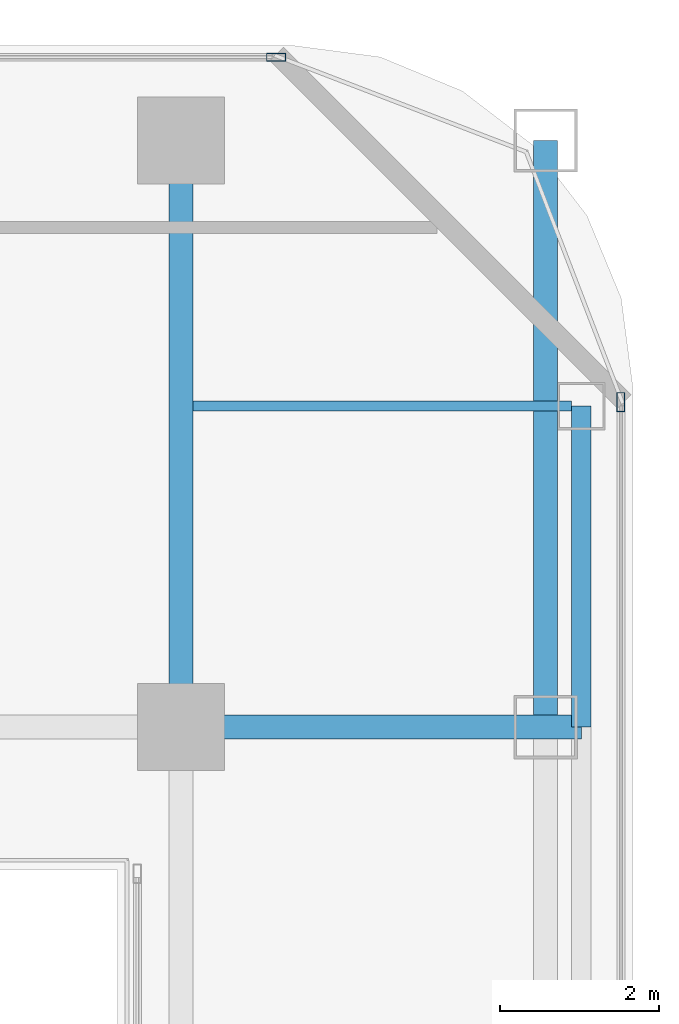
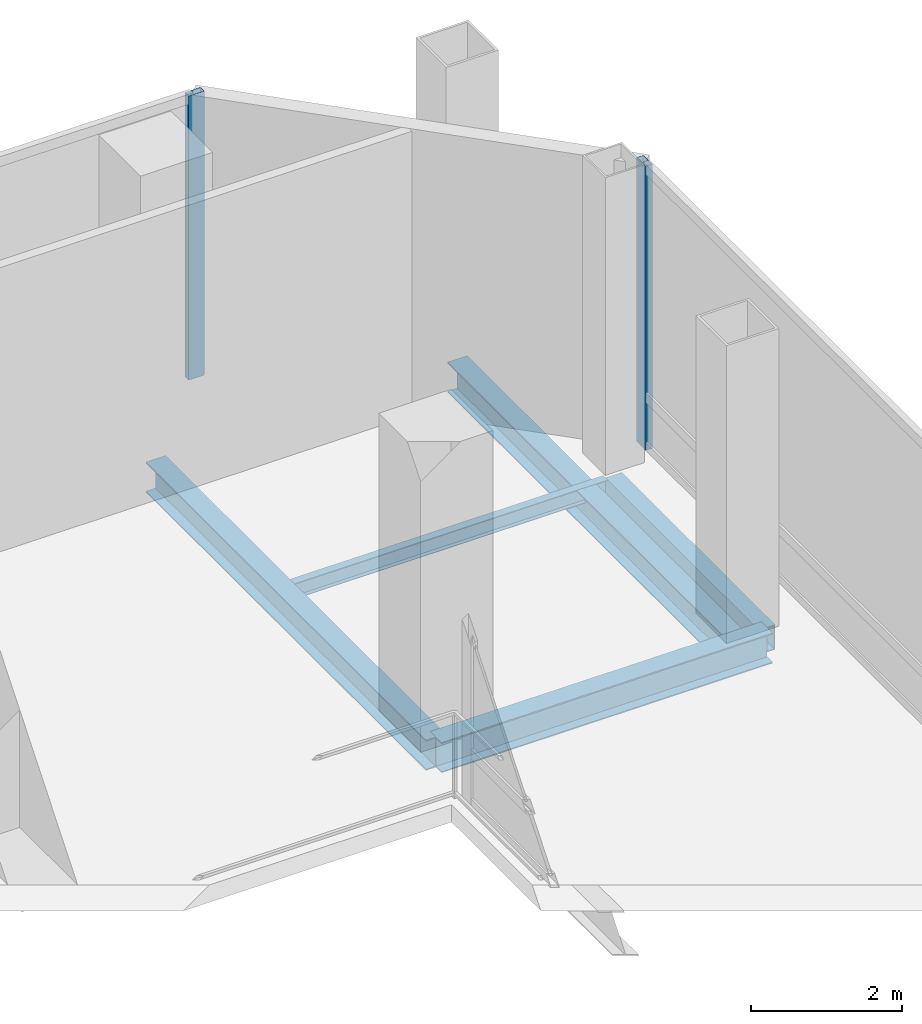
# One storey, part 14 of 22: 5 beams, 2 members, 2 elements without a shape of their own.
"""IFC4 building model written with IfcOpenShell, lengths in metres."""

from ifc_helpers import new_model, si_unit, direction, frame, origin, origin_2d, place, context, subcontext, project, spatial, hollow_rectangle, i_section, extrude, material, layer, layer_set, material_profile, profile_set, type_object, element, aggregate, save


model = new_model("IFC4")

# Units and contexts
model_context = context("Model", 3, precision=1e-05, world=origin(), true_north=direction((0.0, 1.0)))
body_context = subcontext(model_context, "Body", "Model", "MODEL_VIEW")
ifc_project = project(units=[si_unit("LENGTHUNIT", "METRE"), si_unit("AREAUNIT", "SQUARE_METRE"), si_unit("VOLUMEUNIT", "CUBIC_METRE"), si_unit("PLANEANGLEUNIT", "RADIAN"), si_unit("MASSUNIT", "GRAM", prefix="KILO")], contexts=[model_context])

# Site, building, storey
site_placement = place(None, origin())
site = spatial("IfcSite", under=ifc_project, at=site_placement, CompositionType="ELEMENT")
building_placement = place(site_placement, origin())
building = spatial("IfcBuilding", under=site, at=building_placement, Name="Khorvyn Point Tower", CompositionType="ELEMENT")
storey_placement = place(building_placement, frame((0.0, 0.0, 210.89990234375)))
storey = spatial("IfcBuildingStorey", under=building, at=storey_placement, Name="L52", CompositionType="ELEMENT", Elevation=210.89990234375)

# Curtain wall, member
ifc_material_1 = material(Name="Anodised aluminium 6063-T6 and laminated Low-E glass", Category="aluminium")
ifc_layer = layer(ifc_material_1, 0.18994140625)
ifc_layer_set = layer_set([ifc_layer], Name="Stick-Built Sky-Lobby Curtain Wall CW-SYS-05")
curtain_wall_type = type_object("IfcCurtainWallType", Name="Stick-Built Sky-Lobby Curtain Wall CW-SYS-05", PredefinedType="NOTDEFINED", material=ifc_layer_set)
curtain_wall_1_placement = place(storey_placement, origin())
curtain_wall_1 = element("IfcCurtainWall", 1, at=curtain_wall_1_placement, inside=storey, type_object=curtain_wall_type, Name="Curtain Wall", PredefinedType="NOTDEFINED")
ifc_material_2 = material(Name="Anodised aluminium 6063-T6", Category="aluminium")
ifc_material_profile_1 = material_profile(ifc_material_2, hollow_rectangle(XDim=0.10009765625, YDim=0.239990234375, WallThickness=0.0048828125, at=origin_2d()))
ifc_profile_set_1 = profile_set([ifc_material_profile_1], Name="Anodised aluminium 6063-T6 ALU-MUL-100x240")
member_type = type_object("IfcMemberType", Name="Anodised Aluminium 6063-T6 Mullion ALU-MUL-100x240", PredefinedType="MULLION", material=ifc_profile_set_1)
member_1_placement = place(storey_placement, frame((16.0, 15.85009765625, 0.0), z_axis=(0.0, 0.0, 1.0), x_axis=(0.0, 1.0, 0.0)))
member_1 = element("IfcMember", 2, at=member_1_placement, type_object=member_type, Name="Transom", PredefinedType="MULLION", context=body_context, shape_type="SweptSolid", body=[
    extrude(hollow_rectangle(XDim=0.10009765625, YDim=0.239990234375, WallThickness=0.0048828125, at=origin_2d()), origin(), (0.0, 0.0, 1.0), 4.580078125),
])
aggregate(curtain_wall_1, [member_1])

curtain_wall_2_placement = place(storey_placement, origin())
curtain_wall_2 = element("IfcCurtainWall", 3, at=curtain_wall_2_placement, inside=storey, type_object=curtain_wall_type, Name="Curtain Wall", PredefinedType="NOTDEFINED")
member_2_placement = place(storey_placement, frame((20.35009765625, 11.5, 0.0), z_axis=(0.0, 0.0, 1.0), x_axis=(1.0, 0.0, 0.0)))
member_2 = element("IfcMember", 4, at=member_2_placement, type_object=member_type, Name="Transom", PredefinedType="MULLION", context=body_context, shape_type="SweptSolid", body=[
    extrude(hollow_rectangle(XDim=0.10009765625, YDim=0.239990234375, WallThickness=0.0048828125, at=origin_2d()), origin(), (0.0, 0.0, 1.0), 4.580078125),
])
aggregate(curtain_wall_2, [member_2])

# Beams
ifc_material_3 = material(Name="Steel S355", Category="steel")
ifc_material_profile_2 = material_profile(ifc_material_3, i_section(OverallWidth=0.125, OverallDepth=0.25, WebThickness=0.006103515625, FlangeThickness=0.009033203125, at=origin_2d()))
ifc_profile_set_2 = profile_set([ifc_material_profile_2], Name="Steel S355 H250x125x6x9")
beam_type_1 = type_object("IfcBeamType", Name="Steel S355 Joist H250x125x6x9", PredefinedType="JOIST", material=ifc_profile_set_2)
beam_1_placement = place(storey_placement, frame((14.949951171875, 11.449951171875, -0.40478515625), z_axis=(1.0, 0.0, 0.0), x_axis=(0.0, 1.0, 0.0)))
element("IfcBeam", 5, at=beam_1_placement, inside=storey, type_object=beam_type_1, Name="Beam", PredefinedType="JOIST", context=body_context, shape_type="SweptSolid", body=[
    extrude(i_section(OverallWidth=0.125, OverallDepth=0.25, WebThickness=0.006103515625, FlangeThickness=0.009033203125, at=origin_2d()), origin(), (0.0, 0.0, 1.0), 4.775146484375),
])
ifc_material_profile_3 = material_profile(ifc_material_3, i_section(OverallWidth=0.300048828125, OverallDepth=0.488037109375, WebThickness=0.010986328125, FlangeThickness=0.01806640625, at=origin_2d()))
ifc_profile_set_3 = profile_set([ifc_material_profile_3], Name="Steel S355 H488x300x11x18")
beam_type_2 = type_object("IfcBeamType", Name="Steel S355 Spandrel H488x300x11x18", PredefinedType="SPANDREL", material=ifc_profile_set_3)
beam_2_placement = place(storey_placement, frame((14.800048828125, 7.39990234375, -0.52392578125), z_axis=(1.0, 0.0, 0.0), x_axis=(0.0, 1.0, 0.0)))
element("IfcBeam", 6, at=beam_2_placement, inside=storey, type_object=beam_type_2, Name="Beam", PredefinedType="SPANDREL", context=body_context, shape_type="SweptSolid", body=[
    extrude(i_section(OverallWidth=0.300048828125, OverallDepth=0.488037109375, WebThickness=0.010986328125, FlangeThickness=0.01806640625, at=origin_2d()), origin(), (0.0, 0.0, 1.0), 5.050048828125),
])
for number, where, z_axis, x_axis, name in (
    (7, (14.800048828125, 7.39990234375, -0.52392578125), (0.0, 1.0, 0.0), (-1.0, 0.0, 0.0), "Beam"),
    (8, (19.39990234375, 7.39990234375, -0.52392578125), (0.0, 1.0, 0.0), (-1.0, 0.0, 0.0), "Beam"),
):
    element("IfcBeam", number, at=place(storey_placement, frame(where, z_axis=z_axis, x_axis=x_axis)), inside=storey, type_object=beam_type_2, Name=name, PredefinedType="SPANDREL", context=body_context, shape_type="SweptSolid", body=[
        extrude(i_section(OverallWidth=0.300048828125, OverallDepth=0.488037109375, WebThickness=0.010986328125, FlangeThickness=0.01806640625, at=origin_2d()), origin(), (0.0, 0.0, 1.0), 7.400146484375),
    ])
ifc_material_profile_4 = material_profile(ifc_material_3, hollow_rectangle(XDim=0.25, YDim=0.39990234375, WallThickness=0.01611328125, at=origin_2d()))
ifc_profile_set_4 = profile_set([ifc_material_profile_4], Name="Steel S355 RHS400x250x16")
beam_type_3 = type_object("IfcBeamType", Name="Steel S355 Spandrel RHS400x250x16", PredefinedType="SPANDREL", material=ifc_profile_set_4)
beam_3_placement = place(storey_placement, frame((19.85009765625, 7.39990234375, -0.47998046875), z_axis=(0.0, 1.0, 0.0), x_axis=(-1.0, 0.0, 0.0)))
element("IfcBeam", 9, at=beam_3_placement, inside=storey, type_object=beam_type_3, Name="Beam", PredefinedType="SPANDREL", context=body_context, shape_type="SweptSolid", body=[
    extrude(hollow_rectangle(XDim=0.25, YDim=0.39990234375, WallThickness=0.01611328125, at=origin_2d()), origin(), (0.0, 0.0, 1.0), 4.050048828125),
])

save(model, "model.ifc")
